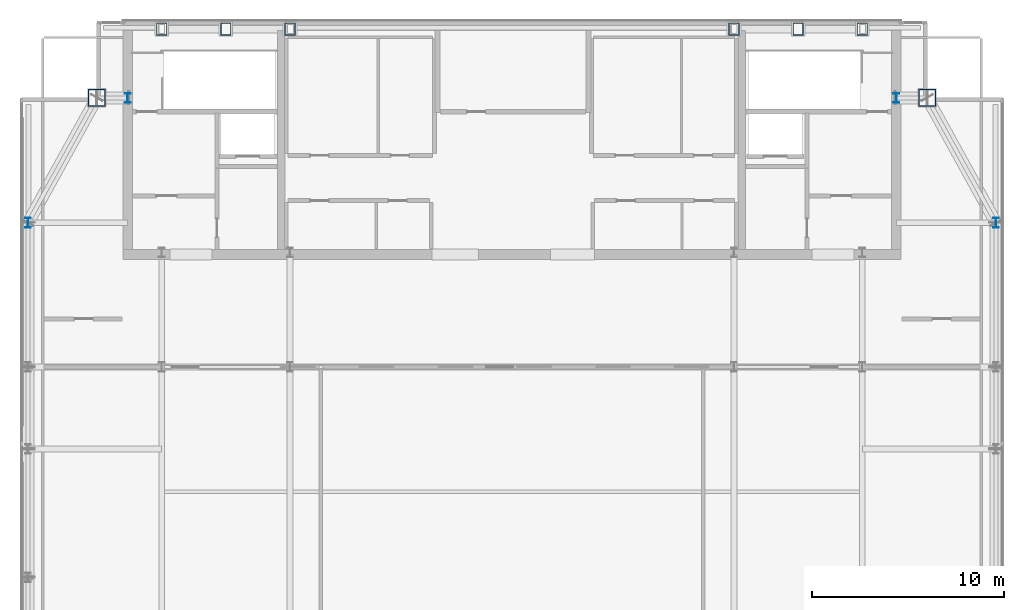
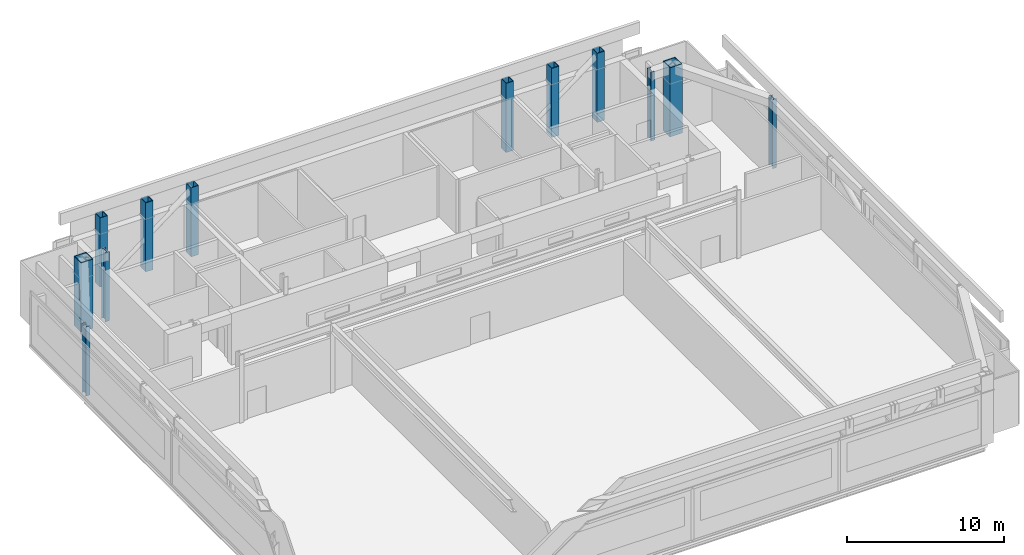
# One storey, part 3 of 24: 12 columns.
"""IFC4 building model written with IfcOpenShell, lengths in metres."""

from ifc_helpers import new_model, si_unit, direction, frame, origin, origin_2d, place, context, subcontext, project, spatial, hollow_rectangle, i_section, extrude, material, material_profile, profile_set, type_object, element, save


model = new_model("IFC4")

# Units and contexts
model_context = context("Model", 3, precision=1e-05, world=origin(), true_north=direction((0.0, 1.0)))
body_context = subcontext(model_context, "Body", "Model", "MODEL_VIEW")
ifc_project = project(units=[si_unit("LENGTHUNIT", "METRE"), si_unit("AREAUNIT", "SQUARE_METRE"), si_unit("VOLUMEUNIT", "CUBIC_METRE"), si_unit("PLANEANGLEUNIT", "RADIAN"), si_unit("MASSUNIT", "GRAM", prefix="KILO")], contexts=[model_context])

# Site, building, storey
site_placement = place(None, origin())
site = spatial("IfcSite", under=ifc_project, at=site_placement, CompositionType="ELEMENT")
building_placement = place(site_placement, origin())
building = spatial("IfcBuilding", under=site, at=building_placement, Name="Khoronbel Lancet Exchange", CompositionType="ELEMENT")
storey_placement = place(building_placement, frame((0.0, 0.0, 378.60009765625)))
storey = spatial("IfcBuildingStorey", under=building, at=storey_placement, Name="L96", CompositionType="ELEMENT", Elevation=378.60009765625)

# Columns
ifc_material_1 = material(Name="Steel S355", Category="steel")
ifc_material_profile_1 = material_profile(ifc_material_1, i_section(OverallWidth=0.300048828125, OverallDepth=0.5, WebThickness=0.014404296875, FlangeThickness=0.028076171875, at=origin_2d()), Name="HEB 500")
ifc_profile_set_1 = profile_set([ifc_material_profile_1], Name="Steel S355")
column_type_1 = type_object("IfcColumnType", Name="COL-CRC1", PredefinedType="COLUMN", material=ifc_profile_set_1)
for number, where, z_axis, x_axis, name in (
    (1, (11.27001953125, 43.199951171875, 0.0), (0.0, 0.0, 1.0), (1.0, 0.0, 0.0), "CROWN FRAME column WC-4 L96"),
    (2, (61.6298828125, 43.199951171875, 0.0), (0.0, 0.0, 1.0), (1.0, 0.0, 0.0), "CROWN FRAME column EC-4 L96"),
    (3, (16.449951171875, 49.699951171875, 0.0), (0.0, 0.0, 1.0), (1.0, 0.0, 0.0), "Core-flank plumb transfer column CFW L96"),
    (4, (56.449951171875, 49.699951171875, 0.0), (0.0, 0.0, 1.0), (1.0, 0.0, 0.0), "Core-flank plumb transfer column CFE L96"),
):
    element("IfcColumn", number, at=place(storey_placement, frame(where, z_axis=z_axis, x_axis=x_axis)), inside=storey, type_object=column_type_1, Name=name, PredefinedType="COLUMN", context=body_context, shape_type="SweptSolid", body=[
        extrude(i_section(OverallWidth=0.300048828125, OverallDepth=0.5, WebThickness=0.014404296875, FlangeThickness=0.028076171875, at=origin_2d()), origin(), (0.0, 0.0, 1.0), 5.35986328125),
    ])
ifc_material_2 = material(Name="Steel S460", Category="steel")
ifc_material_profile_2 = material_profile(ifc_material_2, hollow_rectangle(XDim=0.550048828125, YDim=0.64990234375, WallThickness=0.0400390625, at=origin_2d()), Name="BOX 650x550x40")
ifc_profile_set_2 = profile_set([ifc_material_profile_2], Name="Steel S460")
column_type_2 = type_object("IfcColumnType", Name="COL-EC4", PredefinedType="COLUMN", material=ifc_profile_set_2)
for number, where, z_axis, x_axis, name in (
    (5, (18.22509765625, 53.280029296875, 0.0), (0.0, 0.0, 1.0), (1.0, 0.0, 0.0), "CROWN FRAME column NC-W1 L96"),
    (6, (21.5625, 53.280029296875, 0.0), (0.0, 0.0, 1.0), (1.0, 0.0, 0.0), "CROWN FRAME column NC-WM L96"),
    (7, (24.89990234375, 53.280029296875, 0.0), (0.0, 0.0, 1.0), (1.0, 0.0, 0.0), "CROWN FRAME column NC-W2 L96"),
    (8, (48.0, 53.280029296875, 0.0), (0.0, 0.0, 1.0), (1.0, 0.0, 0.0), "CROWN FRAME column NC-E1 L96"),
    (9, (51.33740234375, 53.280029296875, 0.0), (0.0, 0.0, 1.0), (1.0, 0.0, 0.0), "CROWN FRAME column NC-EM L96"),
    (10, (54.675048828125, 53.280029296875, 0.0), (0.0, 0.0, 1.0), (1.0, 0.0, 0.0), "CROWN FRAME column NC-E2 L96"),
):
    element("IfcColumn", number, at=place(storey_placement, frame(where, z_axis=z_axis, x_axis=x_axis)), inside=storey, type_object=column_type_2, Name=name, PredefinedType="COLUMN", context=body_context, shape_type="SweptSolid", body=[
        extrude(hollow_rectangle(XDim=0.550048828125, YDim=0.64990234375, WallThickness=0.0400390625, at=origin_2d()), origin(), (0.0, 0.0, 1.0), 5.35986328125),
    ])
ifc_material_profile_3 = material_profile(ifc_material_2, hollow_rectangle(XDim=0.89990234375, YDim=0.89990234375, WallThickness=0.050048828125, at=origin_2d()), Name="BOX 900x900x50")
ifc_profile_set_3 = profile_set([ifc_material_profile_3], Name="Steel S460")
column_type_3 = type_object("IfcColumnType", Name="COL-MC7", PredefinedType="COLUMN", material=ifc_profile_set_3)
for number, where, z_axis, x_axis, name in (
    (11, (58.050048828125, 49.699951171875, 0.0), (0.0, 0.0, 1.0), (1.0, 0.0, 0.0), "CROWN FRAME column MC-NE L96"),
    (12, (14.85009765625, 49.699951171875, 0.0), (0.0, 0.0, 1.0), (1.0, 0.0, 0.0), "CROWN FRAME column MC-NW L96"),
):
    element("IfcColumn", number, at=place(storey_placement, frame(where, z_axis=z_axis, x_axis=x_axis)), inside=storey, type_object=column_type_3, Name=name, PredefinedType="COLUMN", context=body_context, shape_type="SweptSolid", body=[
        extrude(hollow_rectangle(XDim=0.89990234375, YDim=0.89990234375, WallThickness=0.050048828125, at=origin_2d()), origin(), (0.0, 0.0, 1.0), 5.35986328125),
    ])

save(model, "model.ifc")
